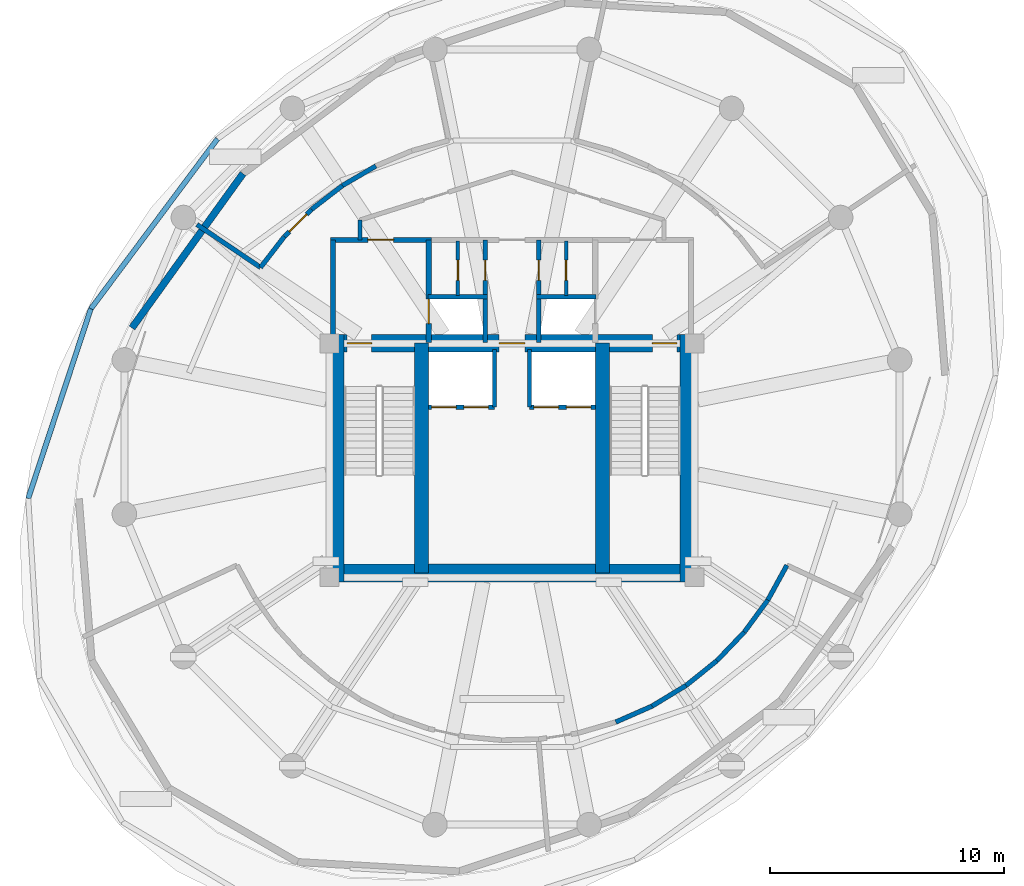
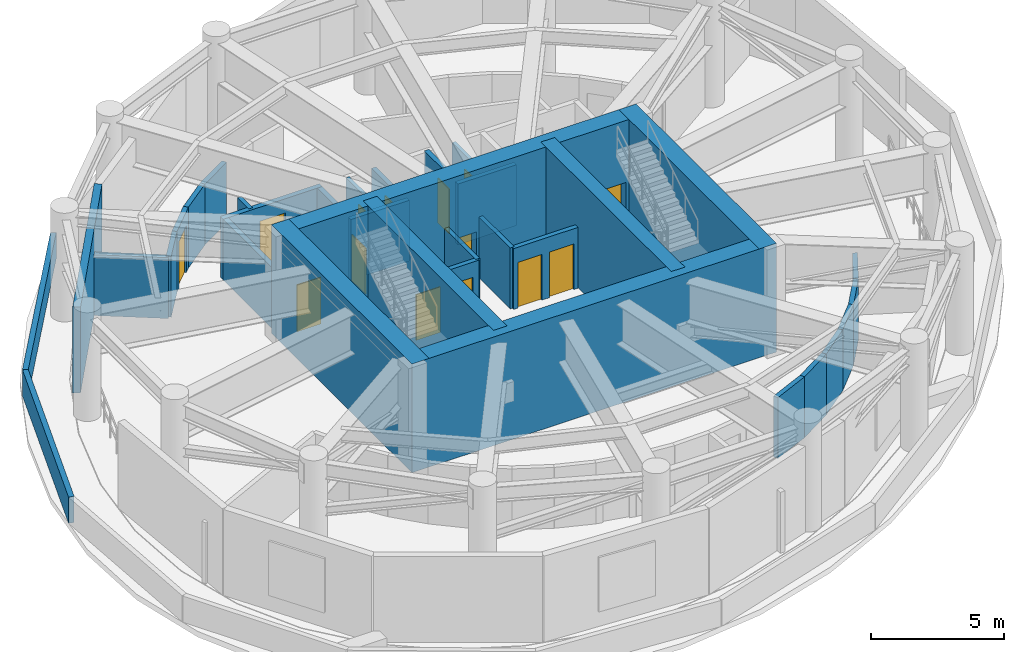
# One storey, part 3 of 6: 34 walls, 14 doors, 14 openings.
"""IFC4 building model written with IfcOpenShell, lengths in metres."""

import ifcopenshell
import ifcopenshell.guid

model = None  # the IFC model being written
_history = None  # IfcOwnerHistory: only IFC2X3 demands one
_inside = {}  # id of a spatial element -> (the spatial element, [elements in it])
_under = {}  # id of a project, library or spatial element -> (it, [spatial elements below it])
_declared = {}  # id of a project -> (the project, [libraries it declares])
_typed = {}  # id of a type object -> (the type object, [elements of that type])
_made_of = {}  # id of a material, layer set ... -> (it, [elements and type objects made of it])


def new_model(schema):
    """Start an empty IFC model of exactly this schema.

    Asked for "IFC4X3", IfcOpenShell would pick the latest addendum, in which some entities
    have other attributes; the version numbers below select the first issue.
    IFC2X3 requires an IfcOwnerHistory on every rooted entity: one is made here for all.
    """
    global model, _history
    if schema == "IFC4X3":
        model = ifcopenshell.file(schema_version=(4, 3, 0, 0))
    else:
        model = ifcopenshell.file(schema=schema)
    _inside.clear()
    _under.clear()
    _declared.clear()
    _typed.clear()
    _made_of.clear()
    _history = None
    if model.schema == "IFC2X3":
        org = make("IfcOrganization", Name="unknown")
        user = make(
            "IfcPersonAndOrganization",
            ThePerson=make("IfcPerson", FamilyName="unknown"),
            TheOrganization=org,
        )
        app = make(
            "IfcApplication",
            ApplicationDeveloper=org,
            Version="unknown",
            ApplicationFullName="unknown",
            ApplicationIdentifier="unknown",
        )
        _history = make(
            "IfcOwnerHistory",
            OwningUser=user,
            OwningApplication=app,
            ChangeAction="ADDED",
            CreationDate=0,
        )
    return model


def make(cls, **values):
    """One entity of the class cls with the attributes given. An attribute that is None is left unset."""
    return model.create_entity(
        cls, **{name: value for name, value in values.items() if value is not None}
    )


def rooted(cls, **values):
    """An entity with a GlobalId (a new one), such as an element, a storey or a relation."""
    return make(cls, GlobalId=ifcopenshell.guid.new(), OwnerHistory=_history, **values)


def si_unit(unit_type, name, prefix=None):
    """IfcSIUnit, for example si_unit("LENGTHUNIT", "METRE", prefix="MILLI")."""
    return make("IfcSIUnit", UnitType=unit_type, Prefix=prefix, Name=name)


def assignment(units):
    """IfcUnitAssignment: the units of a project."""
    return None if units is None else make("IfcUnitAssignment", Units=units)


def point(xyz):
    """IfcCartesianPoint."""
    return None if xyz is None else make("IfcCartesianPoint", Coordinates=xyz)


def direction(xyz):
    """IfcDirection."""
    return None if xyz is None else make("IfcDirection", DirectionRatios=xyz)


def frame(location, z_axis=None, x_axis=None):
    """IfcAxis2Placement3D, a coordinate frame: its origin and axes. An axis left out is left unset."""
    return make(
        "IfcAxis2Placement3D",
        Location=point(location),
        Axis=direction(z_axis),
        RefDirection=direction(x_axis),
    )


def frame_2d(location, x_axis=None):
    """IfcAxis2Placement2D, a coordinate frame in the plane: its origin and x axis."""
    return make(
        "IfcAxis2Placement2D", Location=point(location), RefDirection=direction(x_axis)
    )


def origin():
    """The frame at (0, 0, 0) with its axes left unset."""
    return frame((0.0, 0.0, 0.0))


def place(relative_to, where):
    """IfcLocalPlacement: puts the frame where relative to a parent placement (None: the world)."""
    return make(
        "IfcLocalPlacement", PlacementRelTo=relative_to, RelativePlacement=where
    )


def context(
    kind, dimensions, precision=None, world=None, true_north=None, identifier=None
):
    """IfcGeometricRepresentationContext, for example the 3D "Model" context."""
    return make(
        "IfcGeometricRepresentationContext",
        ContextIdentifier=identifier,
        ContextType=kind,
        CoordinateSpaceDimension=dimensions,
        Precision=precision,
        WorldCoordinateSystem=world,
        TrueNorth=true_north,
    )


def subcontext(parent, identifier, kind, view, scale=None):
    """IfcGeometricRepresentationSubContext, for example "Body" below "Model"."""
    return make(
        "IfcGeometricRepresentationSubContext",
        ContextIdentifier=identifier,
        ContextType=kind,
        ParentContext=parent,
        TargetScale=scale,
        TargetView=view,
    )


def project(units=None, contexts=None):
    """IfcProject with its units and contexts."""
    return rooted(
        "IfcProject",
        Name="project",
        RepresentationContexts=contexts,
        UnitsInContext=assignment(units),
    )


def spatial(cls, under=None, at=None, **own):
    """A site, building, storey or space (cls), placed at a placement, below another one or the project."""
    s = rooted(cls, ObjectPlacement=at, **own)
    if under is not None:
        _under.setdefault(under.id(), (under, []))[1].append(s)
    return s


def profile(cls, at=None, kind="AREA", **sizes):
    """A parametric profile (cls). Its sizes go by their IFC names, for example OverallWidth=200.0."""
    return make(cls, ProfileType=kind, Position=at, **sizes)


def rectangle(**sizes):
    """IfcRectangleProfileDef."""
    return profile("IfcRectangleProfileDef", **sizes)


def extrude(swept, where, along, depth):
    """IfcExtrudedAreaSolid: the profile swept, set in the frame where, extruded along a direction by depth."""
    return make(
        "IfcExtrudedAreaSolid",
        SweptArea=swept,
        Position=where,
        ExtrudedDirection=direction(along),
        Depth=depth,
    )


def shape(context_of_items, identifier, shape_type, items):
    """IfcShapeRepresentation: the items that make up one representation, for example the "Body"."""
    return make(
        "IfcShapeRepresentation",
        ContextOfItems=context_of_items,
        RepresentationIdentifier=identifier,
        RepresentationType=shape_type,
        Items=items,
    )


def material(Name=None, Category=None):
    """IfcMaterial."""
    return make("IfcMaterial", Name=Name, Category=Category)


def layer(
    of_material, thickness, ventilated=None, Name=None, Category=None, Priority=None
):
    """IfcMaterialLayer: one layer of a wall or slab, of a material (None: an air gap)."""
    return make(
        "IfcMaterialLayer",
        Material=of_material,
        LayerThickness=thickness,
        IsVentilated=ventilated,
        Name=Name,
        Category=Category,
        Priority=Priority,
    )


def layer_set(layers, Name=None):
    """IfcMaterialLayerSet."""
    return make("IfcMaterialLayerSet", MaterialLayers=layers, LayerSetName=Name)


def made_of(thing, what):
    """Note that an element or type object is made of a material, layer set ...; save() writes the relation."""
    if what is not None:
        _made_of.setdefault(what.id(), (what, []))[1].append(thing)
    return thing


def type_object(cls, material=None, **own):
    """A type object (cls), such as IfcWallType, which elements share."""
    return made_of(rooted(cls, **own), material)


def element(
    cls,
    number,
    at=None,
    inside=None,
    cuts=None,
    type_object=None,
    material=None,
    context=None,
    identifier="Body",
    shape_type=None,
    held_by="IfcProductDefinitionShape",
    body=None,
    shapes=None,
    **own,
):
    """One element of the class cls, such as IfcWall. Its Tag is "e" and its number.

    at: its placement. inside: the storey or other place that contains it. cuts: it is an
    opening in that element (IfcRelVoidsElement). A single representation is given by context,
    identifier, shape_type and body (its items); several are given by shapes. held_by: the class
    of the entity that holds the representations. save() writes the other relations.
    """
    e = rooted(cls, Tag="e%d" % number, ObjectPlacement=at, **own)
    if body is not None:
        shapes = [shape(context, identifier, shape_type, body)]
    if shapes is not None:
        e.Representation = make(held_by, Representations=shapes)
    if inside is not None:
        _inside.setdefault(inside.id(), (inside, []))[1].append(e)
    if cuts is not None:
        rooted(
            "IfcRelVoidsElement", RelatingBuildingElement=cuts, RelatedOpeningElement=e
        )
    if type_object is not None:
        _typed.setdefault(type_object.id(), (type_object, []))[1].append(e)
    return made_of(e, material)


def fill(opening, filler):
    """IfcRelFillsElement: the door or window that sits in an opening."""
    return rooted(
        "IfcRelFillsElement",
        RelatingOpeningElement=opening,
        RelatedBuildingElement=filler,
    )


def aggregate(whole, parts):
    """IfcRelAggregates: a whole, such as a stair, and the parts it consists of."""
    return rooted("IfcRelAggregates", RelatingObject=whole, RelatedObjects=parts)


def save(model, path):
    """Write the relations noted so far, then the file.

    IfcRelAggregates (storeys below a building ...), IfcRelContainedInSpatialStructure (elements
    in a storey), IfcRelDefinesByType, IfcRelAssociatesMaterial and IfcRelDeclares: one each for
    every whole, place, type object, material and project.
    """
    for whole, parts in _under.values():
        aggregate(whole, parts)
    for where, things in _inside.values():
        rooted(
            "IfcRelContainedInSpatialStructure",
            RelatedElements=things,
            RelatingStructure=where,
        )
    for kind, things in _typed.values():
        rooted("IfcRelDefinesByType", RelatedObjects=things, RelatingType=kind)
    for what, things in _made_of.values():
        rooted("IfcRelAssociatesMaterial", RelatedObjects=things, RelatingMaterial=what)
    for by, libraries in _declared.values():
        rooted("IfcRelDeclares", RelatingContext=by, RelatedDefinitions=libraries)
    model.write(path)


model = new_model("IFC4")

# Units and contexts
model_context = context("Model", 3, precision=1e-05, world=origin(), true_north=direction((0.0, 1.0)))
body_context = subcontext(model_context, "Body", "Model", "MODEL_VIEW")
ifc_project = project(units=[si_unit("LENGTHUNIT", "METRE"), si_unit("AREAUNIT", "SQUARE_METRE"), si_unit("VOLUMEUNIT", "CUBIC_METRE"), si_unit("PLANEANGLEUNIT", "RADIAN"), si_unit("MASSUNIT", "GRAM", prefix="KILO"), si_unit("THERMODYNAMICTEMPERATUREUNIT", "KELVIN"), si_unit("POWERUNIT", "WATT")], contexts=[model_context])

# Site, building, storey
site_placement = place(None, origin())
site = spatial("IfcSite", under=ifc_project, at=site_placement, CompositionType="ELEMENT")
building_placement = place(site_placement, origin())
building = spatial("IfcBuilding", under=site, at=building_placement, Name="Ocrelia Relay Tower", CompositionType="ELEMENT")
storey_placement = place(building_placement, frame((0.0, 0.0, 220.39990234375)))
storey = spatial("IfcBuildingStorey", under=building, at=storey_placement, Name="L54", CompositionType="ELEMENT", Elevation=220.39990234375)

# Wall
ifc_material_1 = material(Name="Concrete C60/75", Category="concrete")
ifc_layer_1 = layer(ifc_material_1, 0.75, Name="Concrete C60/75")
ifc_layer_set_1 = layer_set([ifc_layer_1], Name="Concrete C60/75")
wall_type_1 = type_object("IfcWallType", Name="CW-CORE-750", PredefinedType="SHEAR", material=ifc_layer_set_1)
wall_1_placement = place(storey_placement, frame((26.072021484375, 20.18701171875, 0.0), z_axis=(0.0, 0.0, 1.0), x_axis=(1.0, 0.0, 0.0)))
element("IfcWall", 1, at=wall_1_placement, inside=storey, type_object=wall_type_1, Name="L54 Core Shear Wall S", PredefinedType="SHEAR", context=body_context, shape_type="SweptSolid", body=[
    extrude(rectangle(XDim=15.865966796875, YDim=0.75, at=frame_2d((7.93310546875, 0.0))), origin(), (0.0, 0.0, 1.0), 5.0),
])

# Wall, openings, doors
wall_2_placement = place(storey_placement, frame((26.072021484375, 30.012939453125, 0.0), z_axis=(0.0, 0.0, 1.0), x_axis=(1.0, 0.0, 0.0)))
wall_2 = element("IfcWall", 2, at=wall_2_placement, inside=storey, type_object=wall_type_1, Name="L54 Core Shear Wall N", PredefinedType="SHEAR", context=body_context, shape_type="SweptSolid", body=[
    extrude(rectangle(XDim=15.865966796875, YDim=0.75, at=frame_2d((7.93310546875, 0.0))), origin(), (0.0, 0.0, 1.0), 5.0),
])
opening_1_placement = place(wall_2_placement, frame((0.8779296875, 0.0, 0.0)))
opening_1 = element("IfcOpeningElement", 3, at=opening_1_placement, cuts=wall_2, Name="Opening D-FD90", PredefinedType="OPENING", context=body_context, shape_type="SweptSolid", body=[
    extrude(rectangle(XDim=1.050048828125, YDim=2.14990234375, at=frame_2d((0.52490234375, 1.074951171875))), frame((0.0, 0.385009765625, 0.0), z_axis=(0.0, -1.0, 0.0), x_axis=(1.0, 0.0, 0.0)), (0.0, 0.0, 1.0), 0.77001953125),
])
opening_2_placement = place(wall_2_placement, frame((13.927978515625, 0.0, 0.0)))
opening_2 = element("IfcOpeningElement", 4, at=opening_2_placement, cuts=wall_2, Name="Opening D-FD90", PredefinedType="OPENING", context=body_context, shape_type="SweptSolid", body=[
    extrude(rectangle(XDim=1.050048828125, YDim=2.14990234375, at=frame_2d((0.52490234375, 1.074951171875))), frame((0.0, 0.385009765625, 0.0), z_axis=(0.0, -1.0, 0.0), x_axis=(1.0, 0.0, 0.0)), (0.0, 0.0, 1.0), 0.77001953125),
])
opening_3_placement = place(wall_2_placement, frame((7.3779296875, 0.0, 0.0)))
opening_3 = element("IfcOpeningElement", 5, at=opening_3_placement, cuts=wall_2, Name="Opening D-FD60", PredefinedType="OPENING", context=body_context, shape_type="SweptSolid", body=[
    extrude(rectangle(XDim=1.10009765625, YDim=2.14990234375, at=frame_2d((0.550048828125, 1.074951171875))), frame((0.0, 0.385009765625, 0.0), z_axis=(0.0, -1.0, 0.0), x_axis=(1.0, 0.0, 0.0)), (0.0, 0.0, 1.0), 0.77001953125),
])
ifc_material_2 = material(Name="Timber-core 60-min acoustic fire door", Category="wood")
door_type_1 = type_object("IfcDoorType", Name="DR-LOBBY-FD60-1100", OperationType="NOTDEFINED", PredefinedType="DOOR", material=ifc_material_2)
door_1_placement = place(opening_3_placement, origin())
door_1 = element("IfcDoor", 6, at=door_1_placement, inside=storey, type_object=door_type_1, Name="L54 Core Lift Lobby North Fire Door", OperationType="SINGLE_SWING_RIGHT", OverallHeight=2.14990234375, OverallWidth=1.10009765625, PredefinedType="DOOR", context=body_context, shape_type="SweptSolid", body=[
    extrude(rectangle(XDim=1.10009765625, YDim=2.14990234375, at=frame_2d((0.550048828125, 1.074951171875))), frame((0.0, 0.02490234375, 0.0), z_axis=(0.0, -1.0, 0.0), x_axis=(1.0, 0.0, 0.0)), (0.0, 0.0, 1.0), 0.050048828125),
])
fill(opening_3, door_1)
ifc_material_3 = material(Name="Steel S355 90-min fire door", Category="steel")
door_type_2 = type_object("IfcDoorType", Name="DR-STAIR-FD90-1050", OperationType="NOTDEFINED", PredefinedType="DOOR", material=ifc_material_3)
door_2_placement = place(opening_1_placement, origin())
door_2 = element("IfcDoor", 7, at=door_2_placement, inside=storey, type_object=door_type_2, Name="L54 Stair ST1 Fire Door", OperationType="SINGLE_SWING_RIGHT", OverallHeight=2.14990234375, OverallWidth=1.050048828125, PredefinedType="DOOR", context=body_context, shape_type="SweptSolid", body=[
    extrude(rectangle(XDim=1.050048828125, YDim=2.14990234375, at=frame_2d((0.52490234375, 1.074951171875))), frame((0.0, 0.02490234375, 0.0), z_axis=(0.0, -1.0, 0.0), x_axis=(1.0, 0.0, 0.0)), (0.0, 0.0, 1.0), 0.050048828125),
])
fill(opening_1, door_2)
door_3_placement = place(opening_2_placement, origin())
door_3 = element("IfcDoor", 8, at=door_3_placement, inside=storey, type_object=door_type_2, Name="L54 Stair ST2 Fire Door", OperationType="SINGLE_SWING_LEFT", OverallHeight=2.14990234375, OverallWidth=1.050048828125, PredefinedType="DOOR", context=body_context, shape_type="SweptSolid", body=[
    extrude(rectangle(XDim=1.050048828125, YDim=2.14990234375, at=frame_2d((0.52490234375, 1.074951171875))), frame((0.0, 0.02490234375, 0.0), z_axis=(0.0, -1.0, 0.0), x_axis=(1.0, 0.0, 0.0)), (0.0, 0.0, 1.0), 0.050048828125),
])
fill(opening_2, door_3)

# Walls
for number, where, z_axis, x_axis, name in (
    (9, (26.447021484375, 19.81201171875, 0.0), (0.0, 0.0, 1.0), (0.0, 1.0, 0.0), "L54 Core Shear Wall W"),
    (10, (41.56298828125, 19.81201171875, 0.0), (0.0, 0.0, 1.0), (0.0, 1.0, 0.0), "L54 Core Shear Wall E"),
):
    element("IfcWall", number, at=place(storey_placement, frame(where, z_axis=z_axis, x_axis=x_axis)), inside=storey, type_object=wall_type_1, Name=name, PredefinedType="SHEAR", context=body_context, shape_type="SweptSolid", body=[
        extrude(rectangle(XDim=10.575927734375, YDim=0.75, at=frame_2d((5.2880859375, 0.0))), origin(), (0.0, 0.0, 1.0), 5.0),
    ])
for number, where, z_axis, x_axis, name in (
    (11, (30.137939453125, 20.18701171875, 0.0), (0.0, 0.0, 1.0), (0.0, 1.0, 0.0), "L54 Core Shear Wall SPW"),
    (12, (37.8720703125, 20.18701171875, 0.0), (0.0, 0.0, 1.0), (0.0, 1.0, 0.0), "L54 Core Shear Wall SPE"),
):
    element("IfcWall", number, at=place(storey_placement, frame(where, z_axis=z_axis, x_axis=x_axis)), inside=storey, type_object=wall_type_1, Name=name, PredefinedType="SHEAR", context=body_context, shape_type="SweptSolid", body=[
        extrude(rectangle(XDim=9.825927734375, YDim=0.60009765625, at=frame_2d((4.9130859375, 0.0))), origin(), (0.0, 0.0, 1.0), 5.0),
    ])
ifc_material_4 = material(Name="Gypsum Fireboard Partition EI60", Category="gypsum")
ifc_layer_2 = layer(ifc_material_4, 0.179931640625, Name="Gypsum Fireboard Partition EI60")
ifc_layer_set_2 = layer_set([ifc_layer_2], Name="Gypsum Fireboard Partition EI60")
wall_type_2 = type_object("IfcWallType", Name="W-CORR-EI60-180", PredefinedType="PARTITIONING", material=ifc_layer_set_2)
wall_3_placement = place(storey_placement, frame((27.5, 34.429931640625, 0.0), z_axis=(0.0, 0.0, 1.0), x_axis=(0.0, 1.0, 0.0)))
element("IfcWall", 13, at=wall_3_placement, inside=storey, type_object=wall_type_2, Name="L54 Smoke Lobby West Return", PredefinedType="PARTITIONING", context=body_context, shape_type="SweptSolid", body=[
    extrude(rectangle(XDim=0.85009765625, YDim=0.179931640625, at=frame_2d((0.425048828125, 0.0))), origin(), (0.0, 0.0, 1.0), 2.800048828125),
])
ifc_material_5 = material(Name="Precast concrete C40/50 with oxide terracotta", Category="masonry")
ifc_layer_3 = layer(ifc_material_5, 0.300048828125, Name="Precast concrete C40/50 with oxide terracotta")
ifc_layer_set_3 = layer_set([ifc_layer_3], Name="Precast concrete C40/50 with oxide terracotta")
wall_type_3 = type_object("IfcWallType", Name="W-EXT-TERR-300", PredefinedType="SOLIDWALL", material=ifc_layer_set_3)
wall_4_placement = place(storey_placement, frame((22.4970703125, 37.2646484375, 0.0), z_axis=(0.0, 0.0, 1.0), x_axis=(-0.583942321483, -0.811795149764, 0.0)))
element("IfcWall", 14, at=wall_4_placement, inside=storey, type_object=wall_type_3, Name="L54 Plant Terracotta Wall 05", PredefinedType="SOLIDWALL", context=body_context, shape_type="SweptSolid", body=[
    extrude(rectangle(XDim=8.12939453125, YDim=0.300048828125, at=frame_2d((4.064697265625, 0.0))), origin(), (0.0, 0.0, 1.0), 3.960205078125),
])
ifc_material_6 = material(Name="Concrete C50/60", Category="concrete")
ifc_layer_4 = layer(ifc_material_6, 0.219970703125, Name="Concrete C50/60")
ifc_layer_set_4 = layer_set([ifc_layer_4], Name="Concrete C50/60")
wall_type_4 = type_object("IfcWallType", Name="W-FFL-EI120-220", PredefinedType="SOLIDWALL", material=ifc_layer_set_4)
wall_5_placement = place(storey_placement, frame((26.35009765625, 30.050048828125, 0.0), z_axis=(0.0, 0.0, 1.0), x_axis=(0.0, 1.0, 0.0)))
element("IfcWall", 15, at=wall_5_placement, inside=storey, type_object=wall_type_4, Name="L54 W Fire Service Lift Lobby West Wall", PredefinedType="SOLIDWALL", context=body_context, shape_type="SweptSolid", body=[
    extrude(rectangle(XDim=4.3798828125, YDim=0.219970703125, at=frame_2d((2.18994140625, 0.0))), origin(), (0.0, 0.0, 1.0), 2.800048828125),
])

# Wall, opening, door
wall_6_placement = place(storey_placement, frame((30.43994140625, 30.050048828125, 0.0), z_axis=(0.0, 0.0, 1.0), x_axis=(0.0, 1.0, 0.0)))
wall_6 = element("IfcWall", 16, at=wall_6_placement, inside=storey, type_object=wall_type_4, Name="L54 W Fire Service Lift Lobby East Wall", PredefinedType="SOLIDWALL", context=body_context, shape_type="SweptSolid", body=[
    extrude(rectangle(XDim=4.3798828125, YDim=0.219970703125, at=frame_2d((2.18994140625, 0.0))), origin(), (0.0, 0.0, 1.0), 2.800048828125),
])
opening_4_placement = place(wall_6_placement, frame((0.800048828125, 0.0, 0.0)))
opening_4 = element("IfcOpeningElement", 17, at=opening_4_placement, cuts=wall_6, Name="Opening LD-FFL1", PredefinedType="OPENING", context=body_context, shape_type="SweptSolid", body=[
    extrude(rectangle(XDim=1.050048828125, YDim=2.10009765625, at=frame_2d((0.52490234375, 1.050048828125))), frame((0.0, 0.1201171875, 0.0), z_axis=(0.0, -1.0, 0.0), x_axis=(1.0, 0.0, 0.0)), (0.0, 0.0, 1.0), 0.239990234375),
])
ifc_material_7 = material(Name="Brushed stainless steel S355 lift landing door", Category="steel")
door_type_3 = type_object("IfcDoorType", Name="DR-LIFT-LAND-1050", OperationType="DOUBLE_DOOR_SLIDING", PredefinedType="USERDEFINED", material=ifc_material_7)
door_4_placement = place(opening_4_placement, origin())
door_4 = element("IfcDoor", 18, at=door_4_placement, inside=storey, type_object=door_type_3, Name="L54 Firefighting Lift FFL1 Sliding Landing Door", ObjectType="LANDING DOOR", OperationType="DOUBLE_DOOR_SLIDING", OverallHeight=2.10009765625, OverallWidth=1.050048828125, PredefinedType="USERDEFINED", context=body_context, shape_type="SweptSolid", body=[
    extrude(rectangle(XDim=1.050048828125, YDim=2.10009765625, at=frame_2d((0.52490234375, 1.050048828125))), frame((0.0, 0.02490234375, 0.0), z_axis=(0.0, -1.0, 0.0), x_axis=(1.0, 0.0, 0.0)), (0.0, 0.0, 1.0), 0.050048828125),
])
fill(opening_4, door_4)

wall_7_placement = place(storey_placement, frame((26.239990234375, 34.429931640625, 0.0), z_axis=(0.0, 0.0, 1.0), x_axis=(1.0, 0.0, 0.0)))
wall_7 = element("IfcWall", 19, at=wall_7_placement, inside=storey, type_object=wall_type_4, Name="L54 W Fire Service Lift Lobby North Wall", PredefinedType="SOLIDWALL", context=body_context, shape_type="SweptSolid", body=[
    extrude(rectangle(XDim=4.31005859375, YDim=0.219970703125, at=frame_2d((2.155029296875, 0.0))), origin(), (0.0, 0.0, 1.0), 2.800048828125),
])
opening_5_placement = place(wall_7_placement, frame((1.60009765625, 0.0, 0.0)))
opening_5 = element("IfcOpeningElement", 20, at=opening_5_placement, cuts=wall_7, Name="Opening D-FD60", PredefinedType="OPENING", context=body_context, shape_type="SweptSolid", body=[
    extrude(rectangle(XDim=1.10009765625, YDim=2.14990234375, at=frame_2d((0.550048828125, 1.074951171875))), frame((0.0, 0.1201171875, 0.0), z_axis=(0.0, -1.0, 0.0), x_axis=(1.0, 0.0, 0.0)), (0.0, 0.0, 1.0), 0.239990234375),
])
door_5_placement = place(opening_5_placement, origin())
door_5 = element("IfcDoor", 21, at=door_5_placement, inside=storey, type_object=door_type_1, Name="L54 W Fire Service Lift Lobby Exit Door", OperationType="SINGLE_SWING_LEFT", OverallHeight=2.14990234375, OverallWidth=1.10009765625, PredefinedType="DOOR", context=body_context, shape_type="SweptSolid", body=[
    extrude(rectangle(XDim=1.10009765625, YDim=2.14990234375, at=frame_2d((0.550048828125, 1.074951171875))), frame((0.0, 0.02490234375, 0.0), z_axis=(0.0, -1.0, 0.0), x_axis=(1.0, 0.0, 0.0)), (0.0, 0.0, 1.0), 0.050048828125),
])
fill(opening_5, door_5)

# Walls
ifc_layer_5 = layer(ifc_material_5, 0.219970703125, Name="Precast concrete C40/50 with oxide terracotta")
ifc_layer_set_5 = layer_set([ifc_layer_5], Name="Precast concrete C40/50 with oxide terracotta")
wall_type_5 = type_object("IfcWallType", Name="W-PARAPET-220", PredefinedType="PARAPET", material=ifc_layer_set_5)
wall_8_placement = place(storey_placement, frame((21.40625, 38.74853515625, 0.0), z_axis=(0.0, 0.0, 1.0), x_axis=(-0.597558395946, -0.801825394605, 0.0)))
element("IfcWall", 22, at=wall_8_placement, inside=storey, type_object=wall_type_5, Name="L54 Setback Green Roof Parapet 05", PredefinedType="PARAPET", context=body_context, shape_type="SweptSolid", body=[
    extrude(rectangle(XDim=9.065673828125, YDim=0.219970703125, at=frame_2d((4.53271484375, 0.0))), origin(), (0.0, 0.0, 1.0), 1.2001953125),
])
wall_9_placement = place(storey_placement, frame((15.989013671875, 31.4794921875, 0.0), z_axis=(0.0, 0.0, 1.0), x_axis=(-0.313505677945, -0.949586325668, 0.0)))
element("IfcWall", 23, at=wall_9_placement, inside=storey, type_object=wall_type_5, Name="L54 Setback Green Roof Parapet 06", PredefinedType="PARAPET", context=body_context, shape_type="SweptSolid", body=[
    extrude(rectangle(XDim=8.533447265625, YDim=0.219970703125, at=frame_2d((4.2666015625, 0.0))), origin(), (0.0, 0.0, 1.0), 1.2001953125),
])

# Wall, opening, door
ifc_material_8 = material(Name="Acoustic Fireboard Partition EI60", Category="gypsum")
ifc_layer_6 = layer(ifc_material_8, 0.14990234375, Name="Acoustic Fireboard Partition EI60")
ifc_layer_set_6 = layer_set([ifc_layer_6], Name="Acoustic Fireboard Partition EI60")
wall_type_6 = type_object("IfcWallType", Name="W-PART-150", PredefinedType="PARTITIONING", material=ifc_layer_set_6)
wall_10_placement = place(storey_placement, frame((31.68994140625, 32.050048828125, 0.0), z_axis=(0.0, 0.0, 1.0), x_axis=(0.0, 1.0, 0.0)))
wall_10 = element("IfcWall", 24, at=wall_10_placement, inside=storey, type_object=wall_type_6, Name="L54 West Core Support Partition", PredefinedType="PARTITIONING", context=body_context, shape_type="SweptSolid", body=[
    extrude(rectangle(XDim=2.329833984375, YDim=0.14990234375, at=frame_2d((1.1650390625, 0.0))), origin(), (0.0, 0.0, 1.0), 2.800048828125),
])
opening_6_placement = place(wall_10_placement, frame((0.64990234375, 0.0, 0.0)))
opening_6 = element("IfcOpeningElement", 25, at=opening_6_placement, cuts=wall_10, Name="Opening D-RS86", PredefinedType="OPENING", context=body_context, shape_type="SweptSolid", body=[
    extrude(rectangle(XDim=0.860107421875, YDim=2.050048828125, at=frame_2d((0.43017578125, 1.02490234375))), frame((0.0, 0.0849609375, 0.0), z_axis=(0.0, -1.0, 0.0), x_axis=(1.0, 0.0, 0.0)), (0.0, 0.0, 1.0), 0.169921875),
])
ifc_material_9 = material(Name="Steel S355 riser access fire door", Category="steel")
door_type_4 = type_object("IfcDoorType", Name="DR-RISER-TRAP-860", OperationType="NOTDEFINED", PredefinedType="TRAPDOOR", material=ifc_material_9)
door_6_placement = place(opening_6_placement, origin())
door_6 = element("IfcDoor", 26, at=door_6_placement, inside=storey, type_object=door_type_4, Name="L54 West Core Store Connecting Door", OperationType="SINGLE_SWING_RIGHT", OverallHeight=2.050048828125, OverallWidth=0.860107421875, PredefinedType="TRAPDOOR", context=body_context, shape_type="SweptSolid", body=[
    extrude(rectangle(XDim=0.860107421875, YDim=2.050048828125, at=frame_2d((0.43017578125, 1.02490234375))), frame((0.0, 0.02490234375, 0.0), z_axis=(0.0, -1.0, 0.0), x_axis=(1.0, 0.0, 0.0)), (0.0, 0.0, 1.0), 0.050048828125),
])
fill(opening_6, door_6)

wall_11_placement = place(storey_placement, frame((36.31005859375, 32.050048828125, 0.0), z_axis=(0.0, 0.0, 1.0), x_axis=(0.0, 1.0, 0.0)))
wall_11 = element("IfcWall", 27, at=wall_11_placement, inside=storey, type_object=wall_type_6, Name="L54 East Core Support Partition", PredefinedType="PARTITIONING", context=body_context, shape_type="SweptSolid", body=[
    extrude(rectangle(XDim=2.329833984375, YDim=0.14990234375, at=frame_2d((1.1650390625, 0.0))), origin(), (0.0, 0.0, 1.0), 2.800048828125),
])
opening_7_placement = place(wall_11_placement, frame((0.64990234375, 0.0, 0.0)))
opening_7 = element("IfcOpeningElement", 28, at=opening_7_placement, cuts=wall_11, Name="Opening D-RS86", PredefinedType="OPENING", context=body_context, shape_type="SweptSolid", body=[
    extrude(rectangle(XDim=0.860107421875, YDim=2.050048828125, at=frame_2d((0.43017578125, 1.02490234375))), frame((0.0, 0.0849609375, 0.0), z_axis=(0.0, -1.0, 0.0), x_axis=(1.0, 0.0, 0.0)), (0.0, 0.0, 1.0), 0.169921875),
])
door_7_placement = place(opening_7_placement, origin())
door_7 = element("IfcDoor", 29, at=door_7_placement, inside=storey, type_object=door_type_4, Name="L54 East Core Store Connecting Door", OperationType="SINGLE_SWING_LEFT", OverallHeight=2.050048828125, OverallWidth=0.860107421875, PredefinedType="TRAPDOOR", context=body_context, shape_type="SweptSolid", body=[
    extrude(rectangle(XDim=0.860107421875, YDim=2.050048828125, at=frame_2d((0.43017578125, 1.02490234375))), frame((0.0, 0.02490234375, 0.0), z_axis=(0.0, -1.0, 0.0), x_axis=(1.0, 0.0, 0.0)), (0.0, 0.0, 1.0), 0.050048828125),
])
fill(opening_7, door_7)

# Wall
ifc_layer_7 = layer(ifc_material_6, 0.199951171875, Name="Concrete C50/60")
ifc_layer_set_7 = layer_set([ifc_layer_7], Name="Concrete C50/60")
wall_type_7 = type_object("IfcWallType", Name="W-SHAFT-EI120-200", PredefinedType="SOLIDWALL", material=ifc_layer_set_7)
wall_12_placement = place(storey_placement, frame((30.39990234375, 32.0, 0.0), z_axis=(0.0, 0.0, 1.0), x_axis=(1.0, 0.0, 0.0)))
element("IfcWall", 30, at=wall_12_placement, inside=storey, type_object=wall_type_7, Name="L54 FFL1 Hoistway North Wall", PredefinedType="SOLIDWALL", context=body_context, shape_type="SweptSolid", body=[
    extrude(rectangle(XDim=2.550048828125, YDim=0.199951171875, at=frame_2d((1.27490234375, 0.0))), origin(), (0.0, 0.0, 1.0), 2.800048828125),
])

# Wall, opening, door
wall_13_placement = place(storey_placement, frame((32.85009765625, 30.050048828125, 0.0), z_axis=(0.0, 0.0, 1.0), x_axis=(0.0, 1.0, 0.0)))
wall_13 = element("IfcWall", 31, at=wall_13_placement, inside=storey, type_object=wall_type_7, Name="L54 FFL1 and Service Vestibule Wall", PredefinedType="SOLIDWALL", context=body_context, shape_type="SweptSolid", body=[
    extrude(rectangle(XDim=4.3798828125, YDim=0.199951171875, at=frame_2d((2.18994140625, 0.0))), origin(), (0.0, 0.0, 1.0), 2.800048828125),
])
opening_8_placement = place(wall_13_placement, frame((2.64990234375, 0.0, 0.0)))
opening_8 = element("IfcOpeningElement", 32, at=opening_8_placement, cuts=wall_13, Name="Opening D-RS86", PredefinedType="OPENING", context=body_context, shape_type="SweptSolid", body=[
    extrude(rectangle(XDim=0.860107421875, YDim=2.050048828125, at=frame_2d((0.43017578125, 1.02490234375))), frame((0.0, 0.10986328125, 0.0), z_axis=(0.0, -1.0, 0.0), x_axis=(1.0, 0.0, 0.0)), (0.0, 0.0, 1.0), 0.219970703125),
])
door_8_placement = place(opening_8_placement, origin())
door_8 = element("IfcDoor", 33, at=door_8_placement, inside=storey, type_object=door_type_4, Name="L54 Core Support Room W Door", OperationType="SINGLE_SWING_RIGHT", OverallHeight=2.050048828125, OverallWidth=0.860107421875, PredefinedType="TRAPDOOR", context=body_context, shape_type="SweptSolid", body=[
    extrude(rectangle(XDim=0.860107421875, YDim=2.050048828125, at=frame_2d((0.43017578125, 1.02490234375))), frame((0.0, 0.02490234375, 0.0), z_axis=(0.0, -1.0, 0.0), x_axis=(1.0, 0.0, 0.0)), (0.0, 0.0, 1.0), 0.050048828125),
])
fill(opening_8, door_8)

# Wall
wall_14_placement = place(storey_placement, frame((35.050048828125, 32.0, 0.0), z_axis=(0.0, 0.0, 1.0), x_axis=(1.0, 0.0, 0.0)))
element("IfcWall", 34, at=wall_14_placement, inside=storey, type_object=wall_type_7, Name="L54 FFL2 Hoistway North Wall", PredefinedType="SOLIDWALL", context=body_context, shape_type="SweptSolid", body=[
    extrude(rectangle(XDim=2.550048828125, YDim=0.199951171875, at=frame_2d((1.27490234375, 0.0))), origin(), (0.0, 0.0, 1.0), 2.800048828125),
])

# Wall, opening, door
wall_15_placement = place(storey_placement, frame((35.14990234375, 30.050048828125, 0.0), z_axis=(0.0, 0.0, 1.0), x_axis=(0.0, 1.0, 0.0)))
wall_15 = element("IfcWall", 35, at=wall_15_placement, inside=storey, type_object=wall_type_7, Name="L54 FFL2 and Service Vestibule Wall", PredefinedType="SOLIDWALL", context=body_context, shape_type="SweptSolid", body=[
    extrude(rectangle(XDim=4.3798828125, YDim=0.199951171875, at=frame_2d((2.18994140625, 0.0))), origin(), (0.0, 0.0, 1.0), 2.800048828125),
])
opening_9_placement = place(wall_15_placement, frame((2.64990234375, 0.0, 0.0)))
opening_9 = element("IfcOpeningElement", 36, at=opening_9_placement, cuts=wall_15, Name="Opening D-RS86", PredefinedType="OPENING", context=body_context, shape_type="SweptSolid", body=[
    extrude(rectangle(XDim=0.860107421875, YDim=2.050048828125, at=frame_2d((0.43017578125, 1.02490234375))), frame((0.0, 0.10986328125, 0.0), z_axis=(0.0, -1.0, 0.0), x_axis=(1.0, 0.0, 0.0)), (0.0, 0.0, 1.0), 0.219970703125),
])
door_9_placement = place(opening_9_placement, origin())
door_9 = element("IfcDoor", 37, at=door_9_placement, inside=storey, type_object=door_type_4, Name="L54 Core Support Room E Door", OperationType="SINGLE_SWING_RIGHT", OverallHeight=2.050048828125, OverallWidth=0.860107421875, PredefinedType="TRAPDOOR", context=body_context, shape_type="SweptSolid", body=[
    extrude(rectangle(XDim=0.860107421875, YDim=2.050048828125, at=frame_2d((0.43017578125, 1.02490234375))), frame((0.0, 0.02490234375, 0.0), z_axis=(0.0, -1.0, 0.0), x_axis=(1.0, 0.0, 0.0)), (0.0, 0.0, 1.0), 0.050048828125),
])
fill(opening_9, door_9)

# Wall, openings, doors
wall_16_placement = place(storey_placement, frame((30.43994140625, 27.280029296875, 0.0), z_axis=(0.0, 0.0, 1.0), x_axis=(1.0, 0.0, 0.0)))
wall_16 = element("IfcWall", 38, at=wall_16_placement, inside=storey, type_object=wall_type_7, Name="L54 High-Rise Lift Hoistway Wall W", PredefinedType="SOLIDWALL", context=body_context, shape_type="SweptSolid", body=[
    extrude(rectangle(XDim=2.81005859375, YDim=0.199951171875, at=frame_2d((1.405029296875, 0.0))), origin(), (0.0, 0.0, 1.0), 2.800048828125),
])
opening_10_placement = place(wall_16_placement, frame((0.1201171875, 0.0, 0.0)))
opening_10 = element("IfcOpeningElement", 39, at=opening_10_placement, cuts=wall_16, Name="Opening LD-PL5", PredefinedType="OPENING", context=body_context, shape_type="SweptSolid", body=[
    extrude(rectangle(XDim=1.050048828125, YDim=2.10009765625, at=frame_2d((0.52490234375, 1.050048828125))), frame((0.0, 0.10986328125, 0.0), z_axis=(0.0, -1.0, 0.0), x_axis=(1.0, 0.0, 0.0)), (0.0, 0.0, 1.0), 0.219970703125),
])
opening_11_placement = place(wall_16_placement, frame((1.5, 0.0, 0.0)))
opening_11 = element("IfcOpeningElement", 40, at=opening_11_placement, cuts=wall_16, Name="Opening LD-PL6", PredefinedType="OPENING", context=body_context, shape_type="SweptSolid", body=[
    extrude(rectangle(XDim=1.050048828125, YDim=2.10009765625, at=frame_2d((0.52490234375, 1.050048828125))), frame((0.0, 0.10986328125, 0.0), z_axis=(0.0, -1.0, 0.0), x_axis=(1.0, 0.0, 0.0)), (0.0, 0.0, 1.0), 0.219970703125),
])
door_10_placement = place(opening_10_placement, origin())
door_10 = element("IfcDoor", 41, at=door_10_placement, inside=storey, type_object=door_type_3, Name="L54 High-Rise Lift PL5 Sliding Landing Door", ObjectType="LANDING DOOR", OperationType="DOUBLE_DOOR_SLIDING", OverallHeight=2.10009765625, OverallWidth=1.050048828125, PredefinedType="USERDEFINED", context=body_context, shape_type="SweptSolid", body=[
    extrude(rectangle(XDim=1.050048828125, YDim=2.10009765625, at=frame_2d((0.52490234375, 1.050048828125))), frame((0.0, 0.02490234375, 0.0), z_axis=(0.0, -1.0, 0.0), x_axis=(1.0, 0.0, 0.0)), (0.0, 0.0, 1.0), 0.050048828125),
])
fill(opening_10, door_10)
door_11_placement = place(opening_11_placement, origin())
door_11 = element("IfcDoor", 42, at=door_11_placement, inside=storey, type_object=door_type_3, Name="L54 High-Rise Lift PL6 Sliding Landing Door", ObjectType="LANDING DOOR", OperationType="DOUBLE_DOOR_SLIDING", OverallHeight=2.10009765625, OverallWidth=1.050048828125, PredefinedType="USERDEFINED", context=body_context, shape_type="SweptSolid", body=[
    extrude(rectangle(XDim=1.050048828125, YDim=2.10009765625, at=frame_2d((0.52490234375, 1.050048828125))), frame((0.0, 0.02490234375, 0.0), z_axis=(0.0, -1.0, 0.0), x_axis=(1.0, 0.0, 0.0)), (0.0, 0.0, 1.0), 0.050048828125),
])
fill(opening_11, door_11)

# Wall
wall_17_placement = place(storey_placement, frame((33.25, 27.280029296875, 0.0), z_axis=(0.0, 0.0, 1.0), x_axis=(0.0, 1.0, 0.0)))
element("IfcWall", 43, at=wall_17_placement, inside=storey, type_object=wall_type_7, Name="L54 High-Rise Lift Throat Wall W", PredefinedType="SOLIDWALL", context=body_context, shape_type="SweptSolid", body=[
    extrude(rectangle(XDim=2.469970703125, YDim=0.179931640625, at=frame_2d((1.23486328125, 0.0))), origin(), (0.0, 0.0, 1.0), 2.800048828125),
])

# Wall, openings, doors
wall_18_placement = place(storey_placement, frame((34.75, 27.280029296875, 0.0), z_axis=(0.0, 0.0, 1.0), x_axis=(1.0, 0.0, 0.0)))
wall_18 = element("IfcWall", 44, at=wall_18_placement, inside=storey, type_object=wall_type_7, Name="L54 High-Rise Lift Hoistway Wall E", PredefinedType="SOLIDWALL", context=body_context, shape_type="SweptSolid", body=[
    extrude(rectangle(XDim=2.81005859375, YDim=0.199951171875, at=frame_2d((1.405029296875, 0.0))), origin(), (0.0, 0.0, 1.0), 2.800048828125),
])
opening_12_placement = place(wall_18_placement, frame((0.18994140625, 0.0, 0.0)))
opening_12 = element("IfcOpeningElement", 45, at=opening_12_placement, cuts=wall_18, Name="Opening LD-PL7", PredefinedType="OPENING", context=body_context, shape_type="SweptSolid", body=[
    extrude(rectangle(XDim=1.050048828125, YDim=2.10009765625, at=frame_2d((0.52490234375, 1.050048828125))), frame((0.0, 0.10986328125, 0.0), z_axis=(0.0, -1.0, 0.0), x_axis=(1.0, 0.0, 0.0)), (0.0, 0.0, 1.0), 0.219970703125),
])
opening_13_placement = place(wall_18_placement, frame((1.570068359375, 0.0, 0.0)))
opening_13 = element("IfcOpeningElement", 46, at=opening_13_placement, cuts=wall_18, Name="Opening LD-PL8", PredefinedType="OPENING", context=body_context, shape_type="SweptSolid", body=[
    extrude(rectangle(XDim=1.050048828125, YDim=2.10009765625, at=frame_2d((0.52490234375, 1.050048828125))), frame((0.0, 0.10986328125, 0.0), z_axis=(0.0, -1.0, 0.0), x_axis=(1.0, 0.0, 0.0)), (0.0, 0.0, 1.0), 0.219970703125),
])
door_12_placement = place(opening_12_placement, origin())
door_12 = element("IfcDoor", 47, at=door_12_placement, inside=storey, type_object=door_type_3, Name="L54 High-Rise Lift PL7 Sliding Landing Door", ObjectType="LANDING DOOR", OperationType="DOUBLE_DOOR_SLIDING", OverallHeight=2.10009765625, OverallWidth=1.050048828125, PredefinedType="USERDEFINED", context=body_context, shape_type="SweptSolid", body=[
    extrude(rectangle(XDim=1.050048828125, YDim=2.10009765625, at=frame_2d((0.52490234375, 1.050048828125))), frame((0.0, 0.02490234375, 0.0), z_axis=(0.0, -1.0, 0.0), x_axis=(1.0, 0.0, 0.0)), (0.0, 0.0, 1.0), 0.050048828125),
])
fill(opening_12, door_12)
door_13_placement = place(opening_13_placement, origin())
door_13 = element("IfcDoor", 48, at=door_13_placement, inside=storey, type_object=door_type_3, Name="L54 High-Rise Lift PL8 Sliding Landing Door", ObjectType="LANDING DOOR", OperationType="DOUBLE_DOOR_SLIDING", OverallHeight=2.10009765625, OverallWidth=1.050048828125, PredefinedType="USERDEFINED", context=body_context, shape_type="SweptSolid", body=[
    extrude(rectangle(XDim=1.050048828125, YDim=2.10009765625, at=frame_2d((0.52490234375, 1.050048828125))), frame((0.0, 0.02490234375, 0.0), z_axis=(0.0, -1.0, 0.0), x_axis=(1.0, 0.0, 0.0)), (0.0, 0.0, 1.0), 0.050048828125),
])
fill(opening_13, door_13)

# Walls
wall_19_placement = place(storey_placement, frame((34.75, 27.280029296875, 0.0), z_axis=(0.0, 0.0, 1.0), x_axis=(0.0, 1.0, 0.0)))
element("IfcWall", 49, at=wall_19_placement, inside=storey, type_object=wall_type_7, Name="L54 High-Rise Lift Throat Wall E", PredefinedType="SOLIDWALL", context=body_context, shape_type="SweptSolid", body=[
    extrude(rectangle(XDim=2.469970703125, YDim=0.179931640625, at=frame_2d((1.23486328125, 0.0))), origin(), (0.0, 0.0, 1.0), 2.800048828125),
])
wall_20_placement = place(storey_placement, frame((23.247314453125, 33.252685546875, 0.0), z_axis=(0.0, 0.0, 1.0), x_axis=(0.611032763433, 0.791605306962, 0.0)))
element("IfcWall", 50, at=wall_20_placement, inside=storey, type_object=wall_type_7, Name="L54 West Area of Refuge Inner Wall 7", PredefinedType="SOLIDWALL", context=body_context, shape_type="SweptSolid", body=[
    extrude(rectangle(XDim=1.658935546875, YDim=0.199951171875, at=frame_2d((0.82958984375, 0.0))), origin(), (0.0, 0.0, 1.0), 2.800048828125),
])

# Wall, opening, door
wall_21_placement = place(storey_placement, frame((24.260986328125, 34.56591796875, 0.0), z_axis=(0.0, 0.0, 1.0), x_axis=(0.707106781187, 0.707106781187, 0.0)))
wall_21 = element("IfcWall", 51, at=wall_21_placement, inside=storey, type_object=wall_type_7, Name="L54 West Area of Refuge Inner Wall 8", PredefinedType="SOLIDWALL", context=body_context, shape_type="SweptSolid", body=[
    extrude(rectangle(XDim=1.658935546875, YDim=0.199951171875, at=frame_2d((0.82958984375, 0.0))), origin(), (0.0, 0.0, 1.0), 2.800048828125),
])
opening_14_placement = place(wall_21_placement, frame((0.304443359375, 0.0, 0.0)))
opening_14 = element("IfcOpeningElement", 52, at=opening_14_placement, cuts=wall_21, Name="Opening D-FD90", PredefinedType="OPENING", context=body_context, shape_type="SweptSolid", body=[
    extrude(rectangle(XDim=1.050048828125, YDim=2.14990234375, at=frame_2d((0.52490234375, 1.074951171875))), frame((0.0, 0.10986328125, 0.0), z_axis=(0.0, -1.0, 0.0), x_axis=(1.0, 0.0, 0.0)), (0.0, 0.0, 1.0), 0.219970703125),
])
door_14_placement = place(opening_14_placement, origin())
door_14 = element("IfcDoor", 53, at=door_14_placement, inside=storey, type_object=door_type_2, Name="L54 West Area of Refuge Fire Door", OperationType="SINGLE_SWING_RIGHT", OverallHeight=2.14990234375, OverallWidth=1.050048828125, PredefinedType="DOOR", context=body_context, shape_type="SweptSolid", body=[
    extrude(rectangle(XDim=1.050048828125, YDim=2.14990234375, at=frame_2d((0.52490234375, 1.074951171875))), frame((0.0, 0.02490234375, 0.0), z_axis=(0.0, -1.0, 0.0), x_axis=(1.0, 0.0, 0.0)), (0.0, 0.0, 1.0), 0.050048828125),
])
fill(opening_14, door_14)

# Walls
for number, where, z_axis, x_axis, name in (
    (54, (25.43408203125, 35.739013671875, 0.0), (0.0, 0.0, 1.0), (0.791605306962, 0.611032763433, 0.0), "L54 West Area of Refuge Inner Wall 9"),
    (55, (26.747314453125, 36.752685546875, 0.0), (0.0, 0.0, 1.0), (0.863153716887, 0.504941245122, 0.0), "L54 West Area of Refuge Inner Wall 10"),
):
    element("IfcWall", number, at=place(storey_placement, frame(where, z_axis=z_axis, x_axis=x_axis)), inside=storey, type_object=wall_type_7, Name=name, PredefinedType="SOLIDWALL", context=body_context, shape_type="SweptSolid", body=[
        extrude(rectangle(XDim=1.658935546875, YDim=0.199951171875, at=frame_2d((0.82958984375, 0.0))), origin(), (0.0, 0.0, 1.0), 2.800048828125),
    ])
wall_22_placement = place(storey_placement, frame((23.247314453125, 33.252685546875, 0.0), z_axis=(0.0, 0.0, 1.0), x_axis=(-0.829004750737, 0.559241560737, 0.0)))
element("IfcWall", 56, at=wall_22_placement, inside=storey, type_object=wall_type_7, Name="L54 West Area of Refuge Radial Wall R1", PredefinedType="SOLIDWALL", context=body_context, shape_type="SweptSolid", body=[
    extrude(rectangle(XDim=3.281494140625, YDim=0.199951171875, at=frame_2d((1.640625, 0.0))), origin(), (0.0, 0.0, 1.0), 2.800048828125),
])
for number, where, z_axis, x_axis, name in (
    (57, (45.7548828125, 20.5185546875, 0.0), (0.0, 0.0, 1.0), (-0.481078844747, -0.876677332396, 0.0), "L54 High-Altitude Air Handling Plant Room Inner Wall 9"),
    (58, (44.938720703125, 19.03125, 0.0), (0.0, 0.0, 1.0), (-0.591307514112, -0.806446169161, 0.0), "L54 High-Altitude Air Handling Plant Room Inner Wall 10"),
    (59, (43.935546875, 17.6630859375, 0.0), (0.0, 0.0, 1.0), (-0.691467658158, -0.722407418097, 0.0), "L54 High-Altitude Air Handling Plant Room Inner Wall 11"),
):
    element("IfcWall", number, at=place(storey_placement, frame(where, z_axis=z_axis, x_axis=x_axis)), inside=storey, type_object=wall_type_7, Name=name, PredefinedType="SOLIDWALL", context=body_context, shape_type="SweptSolid", body=[
        extrude(rectangle(XDim=1.696533203125, YDim=0.199951171875, at=frame_2d((0.84814453125, 0.0))), origin(), (0.0, 0.0, 1.0), 2.800048828125),
    ])
wall_23_placement = place(storey_placement, frame((42.762451171875, 16.4375, 0.0), z_axis=(0.0, 0.0, 1.0), x_axis=(-0.779885178189, -0.625922606111, 0.0)))
element("IfcWall", 60, at=wall_23_placement, inside=storey, type_object=wall_type_7, Name="L54 High-Altitude Air Handling Plant Room Inner Wall 12", PredefinedType="SOLIDWALL", context=body_context, shape_type="SweptSolid", body=[
    extrude(rectangle(XDim=1.69677734375, YDim=0.199951171875, at=frame_2d((0.848388671875, 0.0))), origin(), (0.0, 0.0, 1.0), 2.800048828125),
])
wall_24_placement = place(storey_placement, frame((41.439208984375, 15.37548828125, 0.0), z_axis=(0.0, 0.0, 1.0), x_axis=(-0.854942540214, -0.518722712952, 0.0)))
element("IfcWall", 61, at=wall_24_placement, inside=storey, type_object=wall_type_7, Name="L54 High-Altitude Air Handling Plant Room Inner Wall 13", PredefinedType="SOLIDWALL", context=body_context, shape_type="SweptSolid", body=[
    extrude(rectangle(XDim=1.6962890625, YDim=0.199951171875, at=frame_2d((0.84814453125, 0.0))), origin(), (0.0, 0.0, 1.0), 2.800048828125),
])
wall_25_placement = place(storey_placement, frame((39.989013671875, 14.49560546875, 0.0), z_axis=(0.0, 0.0, 1.0), x_axis=(-0.915306545204, -0.402757902849, 0.0)))
element("IfcWall", 62, at=wall_25_placement, inside=storey, type_object=wall_type_7, Name="L54 High-Altitude Air Handling Plant Room Inner Wall 14", PredefinedType="SOLIDWALL", context=body_context, shape_type="SweptSolid", body=[
    extrude(rectangle(XDim=1.69677734375, YDim=0.199951171875, at=frame_2d((0.848388671875, 0.0))), origin(), (0.0, 0.0, 1.0), 2.800048828125),
])

save(model, "model.ifc")
